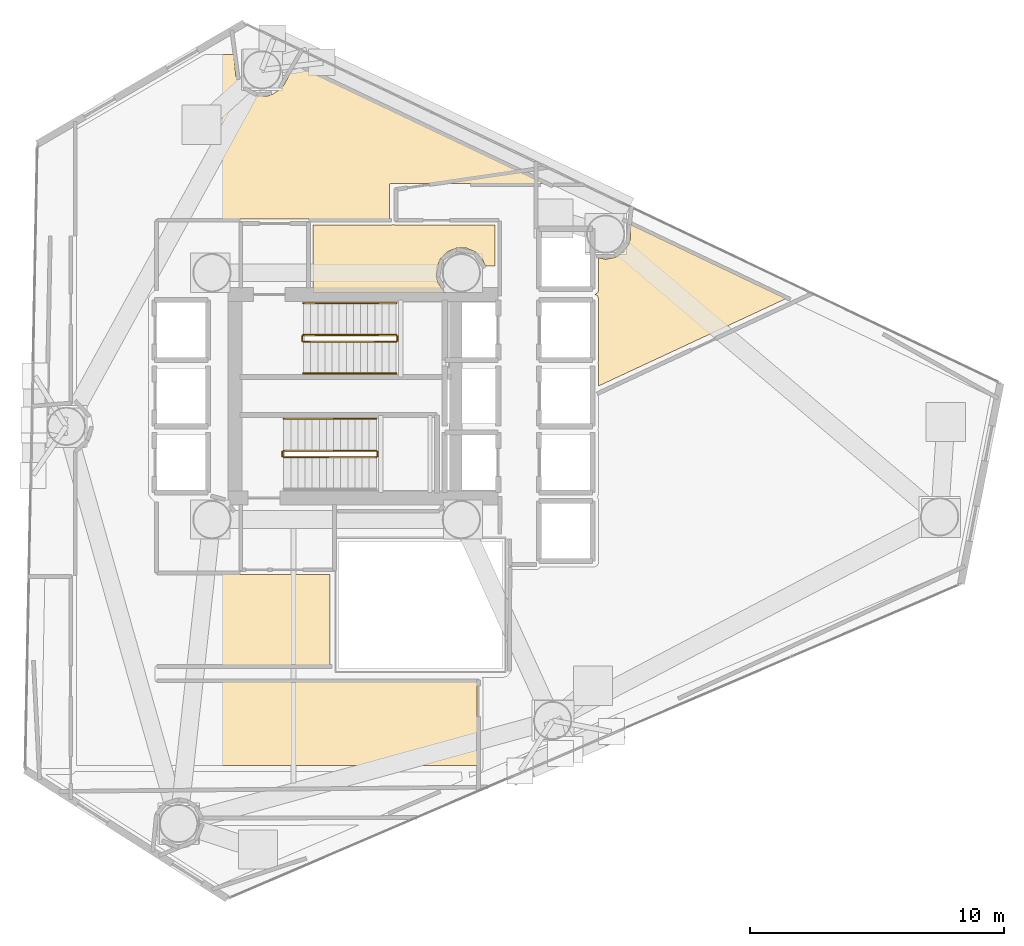
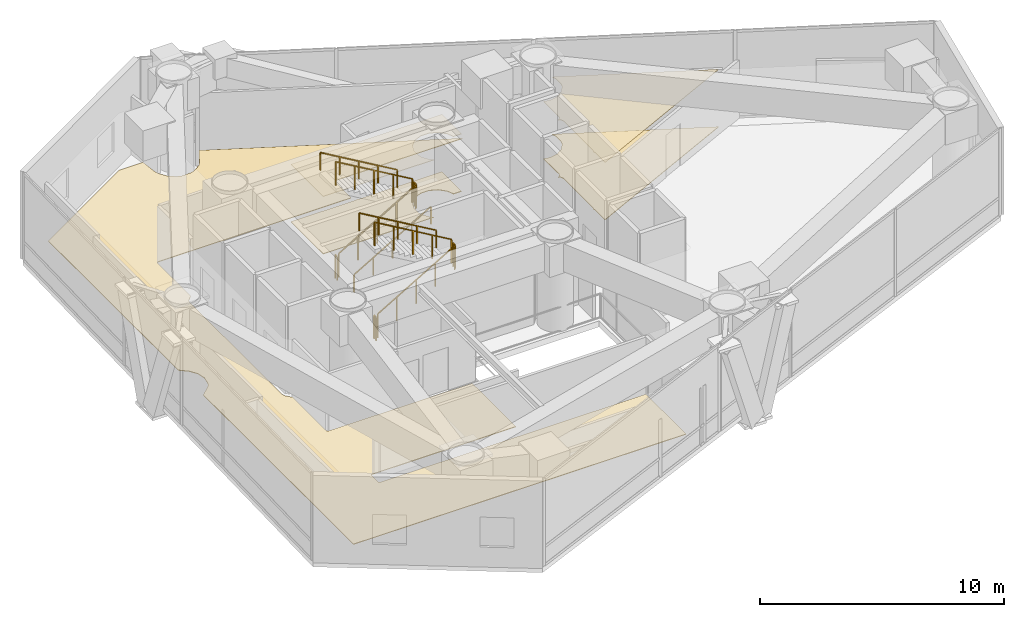
# One storey, part 22 of 22: 11 railings, 5 coverings.
"""IFC4 building model written with IfcOpenShell, lengths in metres."""

from ifc_helpers import new_model, si_unit, direction, frame, origin, origin_2d, place, context, subcontext, project, spatial, polyline, rectangle, outline, extrude, material, layer, layer_set, type_object, element, save


model = new_model("IFC4")

# Units and contexts
model_context = context("Model", 3, precision=1e-05, world=origin(), true_north=direction((0.0, 1.0)))
body_context = subcontext(model_context, "Body", "Model", "MODEL_VIEW")
ifc_project = project(units=[si_unit("LENGTHUNIT", "METRE"), si_unit("AREAUNIT", "SQUARE_METRE"), si_unit("VOLUMEUNIT", "CUBIC_METRE"), si_unit("PLANEANGLEUNIT", "RADIAN"), si_unit("MASSUNIT", "GRAM", prefix="KILO")], contexts=[model_context])

# Site, building, storey
site_placement = place(None, origin())
site = spatial("IfcSite", under=ifc_project, at=site_placement, CompositionType="ELEMENT")
building_placement = place(site_placement, origin())
building = spatial("IfcBuilding", under=site, at=building_placement, Name="Qianvela Tower", CompositionType="ELEMENT")
storey_placement = place(building_placement, frame((0.0, 0.0, 138.5)))
storey = spatial("IfcBuildingStorey", under=building, at=storey_placement, Name="L35", CompositionType="ELEMENT", Elevation=138.5)

# Coverings
ifc_material_1 = material(Name="Perforated Mineral Acoustic Ceiling Tile")
ifc_layer_1 = layer(ifc_material_1, 0.02490234375)
ifc_layer_set_1 = layer_set([ifc_layer_1], Name="Perforated Mineral Acoustic Ceiling Tile")
covering_type_1 = type_object("IfcCoveringType", Name="COV-CEIL-ACOUSTIC-25", PredefinedType="CEILING", material=ifc_layer_set_1)
covering_1_placement = place(storey_placement, frame((0.0, 0.0, 2.875)))
element("IfcCovering", 1, at=covering_1_placement, inside=storey, type_object=covering_type_1, Name="L35 Acoustic Ceiling L35 Air Handling and Smoke Exhaust Plant Room", PredefinedType="CEILING", context=body_context, shape_type="SweptSolid", body=[
    extrude(outline(polyline([(43.640380859375, 32.699951171875), (43.722412109375, 32.739013671875), (43.729248046875, 32.74267578125), (43.73583984375, 32.746826171875), (43.741943359375, 32.751953125), (43.74755859375, 32.757568359375), (43.75244140625, 32.763427734375), (43.7568359375, 32.77001953125), (43.760498046875, 32.777099609375), (43.763427734375, 32.7841796875), (43.79541015625, 32.873046875), (43.79736328125, 32.879638671875), (43.798828125, 32.886474609375), (43.7998046875, 32.893310546875), (43.800048828125, 32.900146484375), (43.797119140625, 34.134521484375), (44.054931640625, 34.08154296875), (44.062744140625, 34.080322265625), (44.07080078125, 34.080078125), (44.07861328125, 34.080322265625), (44.086669921875, 34.08154296875), (44.434814453125, 34.15087890625), (44.4423828125, 34.152587890625), (44.449951171875, 34.155517578125), (44.45703125, 34.15869140625), (44.463623046875, 34.162841796875), (44.7587890625, 34.360107421875), (44.76513671875, 34.36474609375), (44.77099609375, 34.3701171875), (44.7763671875, 34.375732421875), (44.781005859375, 34.382080078125), (44.978271484375, 34.67724609375), (44.982421875, 34.68408203125), (44.985595703125, 34.691162109375), (44.98828125, 34.698486328125), (45.0400390625, 34.869140625), (45.0419921875, 34.876953125), (45.043212890625, 34.884521484375), (45.04345703125, 34.892578125), (45.04345703125, 35.24755859375), (45.043212890625, 35.25537109375), (45.0419921875, 35.26318359375), (45.0400390625, 35.270751953125), (44.98828125, 35.44140625), (44.98583984375, 35.448486328125), (44.982666015625, 35.455078125), (44.97900390625, 35.461669921875), (44.9658203125, 35.481689453125), (51.155517578125, 32.533203125), (43.800048828125, 29.103271484375), (43.800048828125, 29.89990234375), (43.799560546875, 29.907958984375), (43.79833984375, 29.915771484375), (43.79638671875, 29.923583984375), (43.793701171875, 29.93115234375), (43.7646484375, 30.0), (43.793701171875, 30.06884765625), (43.79638671875, 30.076416015625), (43.79833984375, 30.084228515625), (43.799560546875, 30.092041015625), (43.800048828125, 30.10009765625), (43.800048828125, 32.5), (43.799560546875, 32.509033203125), (43.7978515625, 32.518310546875), (43.79541015625, 32.527099609375), (43.763427734375, 32.61572265625), (43.760498046875, 32.623046875), (43.7568359375, 32.6298828125), (43.75244140625, 32.636474609375), (43.74755859375, 32.642578125), (43.741943359375, 32.648193359375), (43.73583984375, 32.653076171875), (43.729248046875, 32.657470703125), (43.722412109375, 32.6611328125), (43.640380859375, 32.699951171875)])), origin(), (0.0, 0.0, 1.0), 0.02490234375),
])
covering_2_placement = place(storey_placement, frame((0.0, 0.0, 2.875)))
element("IfcCovering", 2, at=covering_2_placement, inside=storey, type_object=covering_type_1, Name="L35 Acoustic Ceiling L35 Hydronic Heat Exchanger and Fire Pump Room", PredefinedType="CEILING", context=body_context, shape_type="SweptSolid", body=[
    extrude(outline(polyline([(37.81689453125, 32.77001953125), (32.580078125, 32.77001953125), (32.580078125, 35.419921875), (35.64990234375, 35.419921875), (35.65771484375, 35.42041015625), (35.665283203125, 35.42138671875), (35.672607421875, 35.42333984375), (35.679931640625, 35.42578125), (35.68701171875, 35.428955078125), (35.693603515625, 35.432861328125), (35.7255859375, 35.45361328125), (35.755615234375, 35.43359375), (35.76220703125, 35.429443359375), (35.769287109375, 35.426025390625), (35.77685546875, 35.42333984375), (35.784423828125, 35.42138671875), (35.792236328125, 35.42041015625), (35.800048828125, 35.419921875), (39.719970703125, 35.419921875), (39.719970703125, 33.81201171875), (39.3447265625, 33.81103515625), (39.23046875, 34.086181640625), (39.227294921875, 34.09326171875), (39.22314453125, 34.10009765625), (39.218505859375, 34.106201171875), (39.213134765625, 34.112060546875), (38.962158203125, 34.36328125), (38.956298828125, 34.368408203125), (38.949951171875, 34.373291015625), (38.943359375, 34.377197265625), (38.936279296875, 34.380615234375), (38.608154296875, 34.516357421875), (38.600830078125, 34.51904296875), (38.593017578125, 34.52099609375), (38.58544921875, 34.522216796875), (38.577392578125, 34.5224609375), (38.222412109375, 34.5224609375), (38.214599609375, 34.522216796875), (38.206787109375, 34.52099609375), (38.19921875, 34.51904296875), (38.19189453125, 34.516357421875), (37.86376953125, 34.380615234375), (37.856689453125, 34.377197265625), (37.85009765625, 34.373291015625), (37.84375, 34.368408203125), (37.837890625, 34.36328125), (37.5869140625, 34.112060546875), (37.58154296875, 34.106201171875), (37.576904296875, 34.10009765625), (37.57275390625, 34.09326171875), (37.569580078125, 34.086181640625), (37.43359375, 33.758056640625), (37.430908203125, 33.750732421875), (37.428955078125, 33.7431640625), (37.427978515625, 33.7353515625), (37.427490234375, 33.7275390625), (37.427490234375, 33.37255859375), (37.427978515625, 33.364501953125), (37.428955078125, 33.35693359375), (37.430908203125, 33.34912109375), (37.482666015625, 33.178466796875), (37.4853515625, 33.171142578125), (37.48876953125, 33.1640625), (37.492919921875, 33.1572265625), (37.68994140625, 32.862060546875), (37.694580078125, 32.855712890625), (37.699951171875, 32.85009765625), (37.705810546875, 32.8447265625), (37.712158203125, 32.840087890625), (37.81689453125, 32.77001953125)])), origin(), (0.0, 0.0, 1.0), 0.02490234375),
])
ifc_material_2 = material(Name="Honed Stone Terrazzo Flooring", Category="masonry")
ifc_layer_2 = layer(ifc_material_2, 0.030029296875)
ifc_layer_set_2 = layer_set([ifc_layer_2], Name="Honed Stone Terrazzo Flooring")
covering_type_2 = type_object("IfcCoveringType", Name="COV-FLOOR-TERRAZZO-30", PredefinedType="FLOORING", material=ifc_layer_set_2)
covering_3_placement = place(storey_placement, origin())
element("IfcCovering", 3, at=covering_3_placement, inside=storey, type_object=covering_type_2, Name="L35 Finish Flooring L35 Mechanical Plant Corridor", PredefinedType="FLOORING", context=body_context, shape_type="SweptSolid", body=[
    extrude(outline(polyline([(23.926513671875, 27.50048828125), (23.927490234375, 27.50830078125), (23.927978515625, 27.51611328125), (23.927490234375, 27.523681640625), (23.926513671875, 27.531494140625), (23.8525390625, 27.90283203125), (23.8505859375, 27.910400390625), (23.84814453125, 27.917724609375), (23.8447265625, 27.9248046875), (23.8408203125, 27.931640625), (23.63037109375, 28.246337890625), (23.625732421875, 28.252685546875), (23.62060546875, 28.258544921875), (23.614501953125, 28.263671875), (23.280029296875, 28.538330078125), (23.280029296875, 39.18701171875), (28.305908203125, 42.1201171875), (29.45458984375, 42.1201171875), (29.532958984375, 41.323974609375), (29.5341796875, 41.316162109375), (29.5361328125, 41.30859375), (29.59130859375, 41.126708984375), (29.593994140625, 41.119140625), (29.597412109375, 41.112060546875), (29.601318359375, 41.10546875), (29.8115234375, 40.790771484375), (29.81640625, 40.784423828125), (29.821533203125, 40.778564453125), (29.827392578125, 40.773193359375), (29.833740234375, 40.7685546875), (30.1484375, 40.558349609375), (30.155029296875, 40.55419921875), (30.162109375, 40.55078125), (30.169677734375, 40.54833984375), (30.3515625, 40.4931640625), (30.359130859375, 40.4912109375), (30.366943359375, 40.489990234375), (30.374755859375, 40.489501953125), (30.753173828125, 40.489501953125), (30.760986328125, 40.489990234375), (30.768798828125, 40.4912109375), (30.776611328125, 40.4931640625), (30.95849609375, 40.54833984375), (30.9658203125, 40.55078125), (30.972900390625, 40.55419921875), (30.9794921875, 40.558349609375), (31.294189453125, 40.7685546875), (31.300537109375, 40.773193359375), (31.306396484375, 40.778564453125), (31.311767578125, 40.784423828125), (31.432373046875, 40.931396484375), (31.43701171875, 40.937744140625), (31.441162109375, 40.9443359375), (31.85888671875, 41.72607421875), (41.653076171875, 37.06005859375), (35.64990234375, 37.06005859375), (35.64208984375, 37.0595703125), (35.634521484375, 37.05859375), (35.626708984375, 37.056640625), (35.619384765625, 37.053955078125), (35.6123046875, 37.050537109375), (35.605712890625, 37.04638671875), (35.59912109375, 37.041748046875), (35.593505859375, 37.03662109375), (35.588134765625, 37.03076171875), (35.58349609375, 37.0244140625), (35.579345703125, 37.017578125), (35.576171875, 37.010498046875), (35.573486328125, 37.003173828125), (35.571533203125, 36.99560546875), (35.5703125, 36.98779296875), (35.570068359375, 36.97998046875), (35.570068359375, 35.659912109375), (26.449951171875, 35.659912109375), (26.442138671875, 35.65966796875), (26.434326171875, 35.658447265625), (26.4267578125, 35.656494140625), (26.41943359375, 35.65380859375), (26.412353515625, 35.650634765625), (26.405517578125, 35.646484375), (26.399169921875, 35.641845703125), (26.393310546875, 35.63671875), (26.38818359375, 35.630859375), (26.383544921875, 35.62451171875), (26.37939453125, 35.61767578125), (26.376220703125, 35.610595703125), (26.373291015625, 35.603271484375), (26.37158203125, 35.595703125), (26.370361328125, 35.587890625), (26.3701171875, 35.580078125), (26.3701171875, 32.882568359375), (26.152587890625, 32.642578125), (26.1474609375, 32.636474609375), (26.143310546875, 32.6298828125), (26.139404296875, 32.623046875), (26.136474609375, 32.61572265625), (26.104736328125, 32.527099609375), (26.1025390625, 32.5205078125), (26.101318359375, 32.513671875), (26.100341796875, 32.5068359375), (26.10009765625, 32.5), (26.10009765625, 24.89990234375), (26.100341796875, 24.89306640625), (26.101318359375, 24.88623046875), (26.1025390625, 24.879638671875), (26.104736328125, 24.873046875), (26.136474609375, 24.7841796875), (26.139404296875, 24.777099609375), (26.143310546875, 24.77001953125), (26.1474609375, 24.763427734375), (26.152587890625, 24.757568359375), (26.3701171875, 24.517578125), (26.3701171875, 21.780029296875), (26.370361328125, 21.772216796875), (26.37158203125, 21.764404296875), (26.373291015625, 21.7568359375), (26.376220703125, 21.74951171875), (26.37939453125, 21.7421875), (26.383544921875, 21.735595703125), (26.38818359375, 21.729248046875), (26.393310546875, 21.723388671875), (26.399169921875, 21.71826171875), (26.405517578125, 21.71337890625), (26.412353515625, 21.70947265625), (26.41943359375, 21.7060546875), (26.4267578125, 21.703369140625), (26.434326171875, 21.701416015625), (26.442138671875, 21.700439453125), (26.449951171875, 21.699951171875), (33.239990234375, 21.699951171875), (33.239990234375, 18.1298828125), (26.449951171875, 18.1298828125), (26.442138671875, 18.129638671875), (26.434326171875, 18.12841796875), (26.4267578125, 18.126708984375), (26.41943359375, 18.123779296875), (26.412353515625, 18.12060546875), (26.405517578125, 18.116455078125), (26.399169921875, 18.11181640625), (26.393310546875, 18.106689453125), (26.38818359375, 18.100830078125), (26.383544921875, 18.094482421875), (26.37939453125, 18.087646484375), (26.376220703125, 18.08056640625), (26.373291015625, 18.0732421875), (26.37158203125, 18.065673828125), (26.370361328125, 18.057861328125), (26.3701171875, 18.050048828125), (26.3701171875, 17.550048828125), (26.370361328125, 17.542236328125), (26.37158203125, 17.534423828125), (26.373291015625, 17.52685546875), (26.376220703125, 17.519287109375), (26.37939453125, 17.51220703125), (26.383544921875, 17.505615234375), (26.38818359375, 17.499267578125), (26.393310546875, 17.493408203125), (26.399169921875, 17.48828125), (26.405517578125, 17.4833984375), (26.412353515625, 17.4794921875), (26.41943359375, 17.47607421875), (26.4267578125, 17.473388671875), (26.434326171875, 17.471435546875), (26.442138671875, 17.470458984375), (26.449951171875, 17.469970703125), (39.02001953125, 17.469970703125), (39.02001953125, 14.179931640625), (23.280029296875, 14.179931640625), (23.280029296875, 26.496337890625), (23.73876953125, 26.918212890625), (23.744873046875, 26.924560546875), (23.75048828125, 26.931640625), (23.755126953125, 26.939453125), (23.8447265625, 27.107177734375), (23.84814453125, 27.1142578125), (23.8505859375, 27.12158203125), (23.8525390625, 27.129150390625), (23.926513671875, 27.50048828125)])), origin(), (0.0, 0.0, 1.0), 0.030029296875),
])
covering_4_placement = place(storey_placement, origin())
element("IfcCovering", 4, at=covering_4_placement, inside=storey, type_object=covering_type_2, Name="L35 Finish Flooring L35 Air Handling and Smoke Exhaust Plant Room", PredefinedType="FLOORING", context=body_context, shape_type="SweptSolid", body=[
    extrude(outline(polyline([(43.640380859375, 32.699951171875), (43.722412109375, 32.739013671875), (43.729248046875, 32.74267578125), (43.73583984375, 32.746826171875), (43.741943359375, 32.751953125), (43.74755859375, 32.757568359375), (43.75244140625, 32.763427734375), (43.7568359375, 32.77001953125), (43.760498046875, 32.777099609375), (43.763427734375, 32.7841796875), (43.79541015625, 32.873046875), (43.79736328125, 32.879638671875), (43.798828125, 32.886474609375), (43.7998046875, 32.893310546875), (43.800048828125, 32.900146484375), (43.797119140625, 34.134521484375), (44.054931640625, 34.08154296875), (44.062744140625, 34.080322265625), (44.07080078125, 34.080078125), (44.07861328125, 34.080322265625), (44.086669921875, 34.08154296875), (44.434814453125, 34.15087890625), (44.4423828125, 34.152587890625), (44.449951171875, 34.155517578125), (44.45703125, 34.15869140625), (44.463623046875, 34.162841796875), (44.7587890625, 34.360107421875), (44.76513671875, 34.36474609375), (44.77099609375, 34.3701171875), (44.7763671875, 34.375732421875), (44.781005859375, 34.382080078125), (44.978271484375, 34.67724609375), (44.982421875, 34.68408203125), (44.985595703125, 34.691162109375), (44.98828125, 34.698486328125), (45.0400390625, 34.869140625), (45.0419921875, 34.876953125), (45.043212890625, 34.884521484375), (45.04345703125, 34.892578125), (45.04345703125, 35.24755859375), (45.043212890625, 35.25537109375), (45.0419921875, 35.26318359375), (45.0400390625, 35.270751953125), (44.98828125, 35.44140625), (44.98583984375, 35.448486328125), (44.982666015625, 35.455078125), (44.97900390625, 35.461669921875), (44.9658203125, 35.481689453125), (51.155517578125, 32.533203125), (43.800048828125, 29.103271484375), (43.800048828125, 29.89990234375), (43.799560546875, 29.907958984375), (43.79833984375, 29.915771484375), (43.79638671875, 29.923583984375), (43.793701171875, 29.93115234375), (43.7646484375, 30.0), (43.793701171875, 30.06884765625), (43.79638671875, 30.076416015625), (43.79833984375, 30.084228515625), (43.799560546875, 30.092041015625), (43.800048828125, 30.10009765625), (43.800048828125, 32.5), (43.799560546875, 32.509033203125), (43.7978515625, 32.518310546875), (43.79541015625, 32.527099609375), (43.763427734375, 32.61572265625), (43.760498046875, 32.623046875), (43.7568359375, 32.6298828125), (43.75244140625, 32.636474609375), (43.74755859375, 32.642578125), (43.741943359375, 32.648193359375), (43.73583984375, 32.653076171875), (43.729248046875, 32.657470703125), (43.722412109375, 32.6611328125), (43.640380859375, 32.699951171875)])), origin(), (0.0, 0.0, 1.0), 0.030029296875),
])
covering_5_placement = place(storey_placement, origin())
element("IfcCovering", 5, at=covering_5_placement, inside=storey, type_object=covering_type_2, Name="L35 Finish Flooring L35 Hydronic Heat Exchanger and Fire Pump Room", PredefinedType="FLOORING", context=body_context, shape_type="SweptSolid", body=[
    extrude(outline(polyline([(37.81689453125, 32.77001953125), (32.580078125, 32.77001953125), (32.580078125, 35.419921875), (35.64990234375, 35.419921875), (35.65771484375, 35.42041015625), (35.665283203125, 35.42138671875), (35.672607421875, 35.42333984375), (35.679931640625, 35.42578125), (35.68701171875, 35.428955078125), (35.693603515625, 35.432861328125), (35.7255859375, 35.45361328125), (35.755615234375, 35.43359375), (35.76220703125, 35.429443359375), (35.769287109375, 35.426025390625), (35.77685546875, 35.42333984375), (35.784423828125, 35.42138671875), (35.792236328125, 35.42041015625), (35.800048828125, 35.419921875), (39.719970703125, 35.419921875), (39.719970703125, 33.81201171875), (39.3447265625, 33.81103515625), (39.23046875, 34.086181640625), (39.227294921875, 34.09326171875), (39.22314453125, 34.10009765625), (39.218505859375, 34.106201171875), (39.213134765625, 34.112060546875), (38.962158203125, 34.36328125), (38.956298828125, 34.368408203125), (38.949951171875, 34.373291015625), (38.943359375, 34.377197265625), (38.936279296875, 34.380615234375), (38.608154296875, 34.516357421875), (38.600830078125, 34.51904296875), (38.593017578125, 34.52099609375), (38.58544921875, 34.522216796875), (38.577392578125, 34.5224609375), (38.222412109375, 34.5224609375), (38.214599609375, 34.522216796875), (38.206787109375, 34.52099609375), (38.19921875, 34.51904296875), (38.19189453125, 34.516357421875), (37.86376953125, 34.380615234375), (37.856689453125, 34.377197265625), (37.85009765625, 34.373291015625), (37.84375, 34.368408203125), (37.837890625, 34.36328125), (37.5869140625, 34.112060546875), (37.58154296875, 34.106201171875), (37.576904296875, 34.10009765625), (37.57275390625, 34.09326171875), (37.569580078125, 34.086181640625), (37.43359375, 33.758056640625), (37.430908203125, 33.750732421875), (37.428955078125, 33.7431640625), (37.427978515625, 33.7353515625), (37.427490234375, 33.7275390625), (37.427490234375, 33.37255859375), (37.427978515625, 33.364501953125), (37.428955078125, 33.35693359375), (37.430908203125, 33.34912109375), (37.482666015625, 33.178466796875), (37.4853515625, 33.171142578125), (37.48876953125, 33.1640625), (37.492919921875, 33.1572265625), (37.68994140625, 32.862060546875), (37.694580078125, 32.855712890625), (37.699951171875, 32.85009765625), (37.705810546875, 32.8447265625), (37.712158203125, 32.840087890625), (37.81689453125, 32.77001953125)])), origin(), (0.0, 0.0, 1.0), 0.030029296875),
])

# Railings
ifc_material_3 = material(Name="Painted Tubular Steel Q355B", Category="steel")
railing_type_1 = type_object("IfcRailingType", Name="RL-STAIR-GUARD-1200", PredefinedType="GUARDRAIL", material=ifc_material_3)
railing_1_placement = place(storey_placement, frame((32.199951171875, 30.840087890625, 0.164306640625)))
element("IfcRailing", 6, at=railing_1_placement, inside=storey, type_object=railing_type_1, Name="L35 ST-1 stair guard 1", PredefinedType="GUARDRAIL", context=body_context, shape_type="SweptSolid", body=[
    extrude(rectangle(XDim=0.050048828125, YDim=0.0400390625, at=origin_2d()), frame((0.0, 0.0, 1.179931640625), z_axis=(0.862504707072, 0.0, 0.506049039401), x_axis=(0.0, 1.0, 0.0)), (0.0, 0.0, 1.0), 4.220458984375),
    extrude(rectangle(XDim=0.050048828125, YDim=0.050048828125, at=origin_2d()), origin(), (0.0, 0.0, 1.0), 1.159912109375),
    extrude(rectangle(XDim=0.050048828125, YDim=0.050048828125, at=origin_2d()), frame((0.91015625, 0.0, 0.533935546875)), (0.0, 0.0, 1.0), 1.159912109375),
    extrude(rectangle(XDim=0.050048828125, YDim=0.050048828125, at=origin_2d()), frame((1.820068359375, 0.0, 1.06787109375)), (0.0, 0.0, 1.0), 1.159912109375),
    extrude(rectangle(XDim=0.050048828125, YDim=0.050048828125, at=origin_2d()), frame((2.72998046875, 0.0, 1.601806640625)), (0.0, 0.0, 1.0), 1.159912109375),
    extrude(rectangle(XDim=0.050048828125, YDim=0.050048828125, at=origin_2d()), frame((3.64013671875, 0.0, 2.1357421875)), (0.0, 0.0, 1.0), 1.159912109375),
])
railing_2_placement = place(storey_placement, frame((35.889892578125, 30.889892578125, 2.300048828125)))
element("IfcRailing", 7, at=railing_2_placement, inside=storey, type_object=railing_type_1, Name="L35 ST-1 stair guard 2", PredefinedType="GUARDRAIL", context=body_context, shape_type="SweptSolid", body=[
    extrude(rectangle(XDim=0.050048828125, YDim=0.0400390625, at=origin_2d()), frame((0.0, 0.0, 1.179931640625), z_axis=(0.0, 1.0, 0.0), x_axis=(-1.0, 0.0, 0.0)), (0.0, 0.0, 1.0), 0.16015625),
    extrude(rectangle(XDim=0.050048828125, YDim=0.050048828125, at=origin_2d()), origin(), (0.0, 0.0, 1.0), 1.159912109375),
    extrude(rectangle(XDim=0.050048828125, YDim=0.050048828125, at=origin_2d()), frame((0.0, 0.16015625, 0.0)), (0.0, 0.0, 1.0), 1.159912109375),
])
railing_3_placement = place(storey_placement, frame((35.840087890625, 31.10009765625, 2.46435546875)))
element("IfcRailing", 8, at=railing_3_placement, inside=storey, type_object=railing_type_1, Name="L35 ST-1 stair guard 3", PredefinedType="GUARDRAIL", context=body_context, shape_type="SweptSolid", body=[
    extrude(rectangle(XDim=0.050048828125, YDim=0.0400390625, at=origin_2d()), frame((0.0, 0.0, 1.179931640625), z_axis=(-0.862504707072, 0.0, 0.506049039401), x_axis=(0.0, -1.0, 0.0)), (0.0, 0.0, 1.0), 4.220458984375),
    extrude(rectangle(XDim=0.050048828125, YDim=0.050048828125, at=origin_2d()), origin(), (0.0, 0.0, 1.0), 1.159912109375),
    extrude(rectangle(XDim=0.050048828125, YDim=0.050048828125, at=origin_2d()), frame((-0.91015625, 0.0, 0.533935546875)), (0.0, 0.0, 1.0), 1.159912109375),
    extrude(rectangle(XDim=0.050048828125, YDim=0.050048828125, at=origin_2d()), frame((-1.820068359375, 0.0, 1.06787109375)), (0.0, 0.0, 1.0), 1.159912109375),
    extrude(rectangle(XDim=0.050048828125, YDim=0.050048828125, at=origin_2d()), frame((-2.72998046875, 0.0, 1.601806640625)), (0.0, 0.0, 1.0), 1.159912109375),
    extrude(rectangle(XDim=0.050048828125, YDim=0.050048828125, at=origin_2d()), frame((-3.64013671875, 0.0, 2.1357421875)), (0.0, 0.0, 1.0), 1.159912109375),
])
railing_4_placement = place(storey_placement, frame((32.14990234375, 30.889892578125, 0.0)))
element("IfcRailing", 9, at=railing_4_placement, inside=storey, type_object=railing_type_1, Name="L35 ST-1 stair guard 4", PredefinedType="GUARDRAIL", context=body_context, shape_type="SweptSolid", body=[
    extrude(rectangle(XDim=0.050048828125, YDim=0.0400390625, at=origin_2d()), frame((0.0, 0.0, 1.179931640625), z_axis=(0.0, 1.0, 0.0), x_axis=(-1.0, 0.0, 0.0)), (0.0, 0.0, 1.0), 0.16015625),
    extrude(rectangle(XDim=0.050048828125, YDim=0.050048828125, at=origin_2d()), origin(), (0.0, 0.0, 1.0), 1.159912109375),
    extrude(rectangle(XDim=0.050048828125, YDim=0.050048828125, at=origin_2d()), frame((0.0, 0.16015625, 0.0)), (0.0, 0.0, 1.0), 1.159912109375),
])
railing_5_placement = place(storey_placement, frame((31.419921875, 26.300048828125, 0.164306640625)))
element("IfcRailing", 10, at=railing_5_placement, inside=storey, type_object=railing_type_1, Name="L35 ST-2 stair guard 1", PredefinedType="GUARDRAIL", context=body_context, shape_type="SweptSolid", body=[
    extrude(rectangle(XDim=0.050048828125, YDim=0.0400390625, at=origin_2d()), frame((0.0, 0.0, 1.179931640625), z_axis=(0.862504707072, 0.0, 0.506049039401), x_axis=(0.0, 1.0, 0.0)), (0.0, 0.0, 1.0), 4.220458984375),
    extrude(rectangle(XDim=0.050048828125, YDim=0.050048828125, at=origin_2d()), origin(), (0.0, 0.0, 1.0), 1.159912109375),
    extrude(rectangle(XDim=0.050048828125, YDim=0.050048828125, at=origin_2d()), frame((0.91015625, 0.0, 0.533935546875)), (0.0, 0.0, 1.0), 1.159912109375),
    extrude(rectangle(XDim=0.050048828125, YDim=0.050048828125, at=origin_2d()), frame((1.820068359375, 0.0, 1.06787109375)), (0.0, 0.0, 1.0), 1.159912109375),
    extrude(rectangle(XDim=0.050048828125, YDim=0.050048828125, at=origin_2d()), frame((2.72998046875, 0.0, 1.601806640625)), (0.0, 0.0, 1.0), 1.159912109375),
    extrude(rectangle(XDim=0.050048828125, YDim=0.050048828125, at=origin_2d()), frame((3.64013671875, 0.0, 2.1357421875)), (0.0, 0.0, 1.0), 1.159912109375),
])
railing_6_placement = place(storey_placement, frame((35.110107421875, 26.35009765625, 2.300048828125)))
element("IfcRailing", 11, at=railing_6_placement, inside=storey, type_object=railing_type_1, Name="L35 ST-2 stair guard 2", PredefinedType="GUARDRAIL", context=body_context, shape_type="SweptSolid", body=[
    extrude(rectangle(XDim=0.050048828125, YDim=0.0400390625, at=origin_2d()), frame((0.0, 0.0, 1.179931640625), z_axis=(0.0, 1.0, 0.0), x_axis=(-1.0, 0.0, 0.0)), (0.0, 0.0, 1.0), 0.159912109375),
    extrude(rectangle(XDim=0.050048828125, YDim=0.050048828125, at=origin_2d()), origin(), (0.0, 0.0, 1.0), 1.159912109375),
    extrude(rectangle(XDim=0.050048828125, YDim=0.050048828125, at=origin_2d()), frame((0.0, 0.159912109375, 0.0)), (0.0, 0.0, 1.0), 1.159912109375),
])
railing_7_placement = place(storey_placement, frame((35.06005859375, 26.56005859375, 2.46435546875)))
element("IfcRailing", 12, at=railing_7_placement, inside=storey, type_object=railing_type_1, Name="L35 ST-2 stair guard 3", PredefinedType="GUARDRAIL", context=body_context, shape_type="SweptSolid", body=[
    extrude(rectangle(XDim=0.050048828125, YDim=0.0400390625, at=origin_2d()), frame((0.0, 0.0, 1.179931640625), z_axis=(-0.862504707072, 0.0, 0.506049039401), x_axis=(0.0, -1.0, 0.0)), (0.0, 0.0, 1.0), 4.220458984375),
    extrude(rectangle(XDim=0.050048828125, YDim=0.050048828125, at=origin_2d()), origin(), (0.0, 0.0, 1.0), 1.159912109375),
    extrude(rectangle(XDim=0.050048828125, YDim=0.050048828125, at=origin_2d()), frame((-0.91015625, 0.0, 0.533935546875)), (0.0, 0.0, 1.0), 1.159912109375),
    extrude(rectangle(XDim=0.050048828125, YDim=0.050048828125, at=origin_2d()), frame((-1.820068359375, 0.0, 1.06787109375)), (0.0, 0.0, 1.0), 1.159912109375),
    extrude(rectangle(XDim=0.050048828125, YDim=0.050048828125, at=origin_2d()), frame((-2.72998046875, 0.0, 1.601806640625)), (0.0, 0.0, 1.0), 1.159912109375),
    extrude(rectangle(XDim=0.050048828125, YDim=0.050048828125, at=origin_2d()), frame((-3.64013671875, 0.0, 2.1357421875)), (0.0, 0.0, 1.0), 1.159912109375),
])
railing_8_placement = place(storey_placement, frame((31.3701171875, 26.35009765625, 0.0)))
element("IfcRailing", 13, at=railing_8_placement, inside=storey, type_object=railing_type_1, Name="L35 ST-2 stair guard 4", PredefinedType="GUARDRAIL", context=body_context, shape_type="SweptSolid", body=[
    extrude(rectangle(XDim=0.050048828125, YDim=0.0400390625, at=origin_2d()), frame((0.0, 0.0, 1.179931640625), z_axis=(0.0, 1.0, 0.0), x_axis=(-1.0, 0.0, 0.0)), (0.0, 0.0, 1.0), 0.159912109375),
    extrude(rectangle(XDim=0.050048828125, YDim=0.050048828125, at=origin_2d()), origin(), (0.0, 0.0, 1.0), 1.159912109375),
    extrude(rectangle(XDim=0.050048828125, YDim=0.050048828125, at=origin_2d()), frame((0.0, 0.159912109375, 0.0)), (0.0, 0.0, 1.0), 1.159912109375),
])
ifc_material_4 = material(Name="Brushed Stainless Steel 304", Category="steel")
railing_type_2 = type_object("IfcRailingType", Name="RL-STAIR-HANDRAIL-900", PredefinedType="HANDRAIL", material=ifc_material_4)
railing_9_placement = place(storey_placement, frame((32.199951171875, 29.590087890625, 0.164306640625)))
element("IfcRailing", 14, at=railing_9_placement, inside=storey, type_object=railing_type_2, Name="L35 ST-1 stair handrail 1", PredefinedType="HANDRAIL", context=body_context, shape_type="SweptSolid", body=[
    extrude(rectangle(XDim=0.050048828125, YDim=0.0400390625, at=origin_2d()), frame((0.0, 0.0, 0.8798828125), z_axis=(0.862504707072, 0.0, 0.506049039401), x_axis=(0.0, 1.0, 0.0)), (0.0, 0.0, 1.0), 4.220458984375),
    extrude(rectangle(XDim=0.050048828125, YDim=0.050048828125, at=origin_2d()), origin(), (0.0, 0.0, 1.0), 0.85986328125),
    extrude(rectangle(XDim=0.050048828125, YDim=0.050048828125, at=origin_2d()), frame((0.91015625, 0.0, 0.533935546875)), (0.0, 0.0, 1.0), 0.85986328125),
    extrude(rectangle(XDim=0.050048828125, YDim=0.050048828125, at=origin_2d()), frame((1.820068359375, 0.0, 1.06787109375)), (0.0, 0.0, 1.0), 0.85986328125),
    extrude(rectangle(XDim=0.050048828125, YDim=0.050048828125, at=origin_2d()), frame((2.72998046875, 0.0, 1.601806640625)), (0.0, 0.0, 1.0), 0.85986328125),
    extrude(rectangle(XDim=0.050048828125, YDim=0.050048828125, at=origin_2d()), frame((3.64013671875, 0.0, 2.1357421875)), (0.0, 0.0, 1.0), 0.85986328125),
])
for number, where, name in (
    (15, (35.840087890625, 32.35009765625, 2.46435546875), "L35 ST-1 stair handrail 2"),
    (16, (35.06005859375, 27.81005859375, 2.46435546875), "L35 ST-2 stair handrail 2"),
):
    element("IfcRailing", number, at=place(storey_placement, frame(where)), inside=storey, type_object=railing_type_2, Name=name, PredefinedType="HANDRAIL", context=body_context, shape_type="SweptSolid", body=[
        extrude(rectangle(XDim=0.050048828125, YDim=0.0400390625, at=origin_2d()), frame((0.0, 0.0, 0.8798828125), z_axis=(-0.862504707072, 0.0, 0.506049039401), x_axis=(0.0, -1.0, 0.0)), (0.0, 0.0, 1.0), 4.220458984375),
        extrude(rectangle(XDim=0.050048828125, YDim=0.050048828125, at=origin_2d()), origin(), (0.0, 0.0, 1.0), 0.85986328125),
        extrude(rectangle(XDim=0.050048828125, YDim=0.050048828125, at=origin_2d()), frame((-0.91015625, 0.0, 0.533935546875)), (0.0, 0.0, 1.0), 0.85986328125),
        extrude(rectangle(XDim=0.050048828125, YDim=0.050048828125, at=origin_2d()), frame((-1.820068359375, 0.0, 1.06787109375)), (0.0, 0.0, 1.0), 0.85986328125),
        extrude(rectangle(XDim=0.050048828125, YDim=0.050048828125, at=origin_2d()), frame((-2.72998046875, 0.0, 1.601806640625)), (0.0, 0.0, 1.0), 0.85986328125),
        extrude(rectangle(XDim=0.050048828125, YDim=0.050048828125, at=origin_2d()), frame((-3.64013671875, 0.0, 2.1357421875)), (0.0, 0.0, 1.0), 0.85986328125),
    ])

save(model, "model.ifc")
